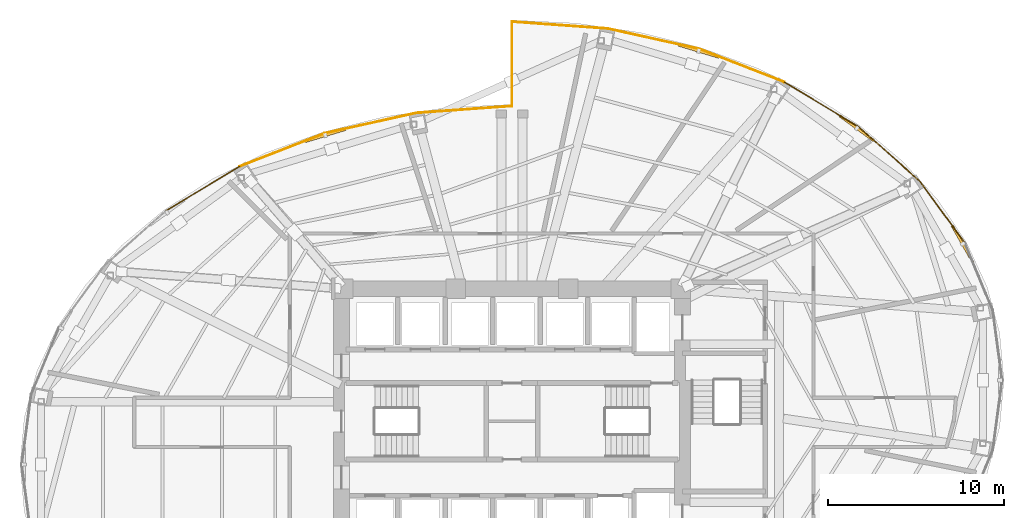
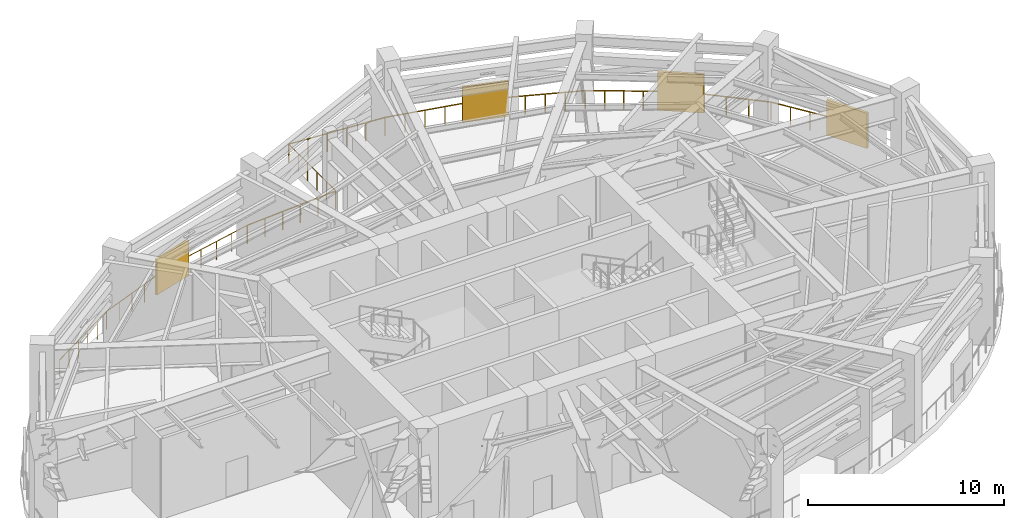
# One storey, part 14 of 14: 11 railings, 4 shading devices.
"""IFC4 building model written with IfcOpenShell, lengths in metres."""

from ifc_helpers import new_model, si_unit, direction, frame, origin, origin_2d, place, context, subcontext, project, spatial, rectangle, circle, extrude, material, type_object, element, save


model = new_model("IFC4")

# Units and contexts
model_context = context("Model", 3, precision=1e-05, world=origin(), true_north=direction((0.0, 1.0)))
body_context = subcontext(model_context, "Body", "Model", "MODEL_VIEW")
ifc_project = project(units=[si_unit("LENGTHUNIT", "METRE"), si_unit("AREAUNIT", "SQUARE_METRE"), si_unit("VOLUMEUNIT", "CUBIC_METRE"), si_unit("PLANEANGLEUNIT", "RADIAN"), si_unit("MASSUNIT", "GRAM", prefix="KILO")], contexts=[model_context])

# Site, building, storey
site_placement = place(None, origin())
site = spatial("IfcSite", under=ifc_project, at=site_placement, CompositionType="ELEMENT")
building_placement = place(site_placement, origin())
building = spatial("IfcBuilding", under=site, at=building_placement, Name="Lazwardi Medical Tower", CompositionType="ELEMENT")
storey_placement = place(building_placement, frame((0.0, 0.0, 76.27197265625)))
storey = spatial("IfcBuildingStorey", under=building, at=storey_placement, Name="L19", CompositionType="ELEMENT", Elevation=76.27197265625)

# Railings
ifc_material_1 = material(Name="Anodised bronze aluminium", Category="aluminium")
railing_type = type_object("IfcRailingType", Name="RLG-BAL-1100", PredefinedType="BALUSTRADE", material=ifc_material_1)
railing_1_placement = place(storey_placement, frame((61.776123046875, 38.206787109375, 0.0)))
element("IfcRailing", 1, at=railing_1_placement, inside=storey, type_object=railing_type, Name="L19 Refuge Band Perimeter Balustrade 11", PredefinedType="BALUSTRADE", context=body_context, shape_type="SweptSolid", body=[
    extrude(circle(Radius=0.02392578125, at=origin_2d()), frame((0.0, 0.0, 1.1259765625), z_axis=(-0.590137081379, 0.807303056591, 0.0), x_axis=(-0.807303056591, -0.590137081379, 0.0)), (0.0, 0.0, 1.0), 4.36865234375),
    extrude(circle(Radius=0.02099609375, at=origin_2d()), origin(), (0.0, 0.0, 1.0), 1.099853515625),
    extrude(circle(Radius=0.02099609375, at=origin_2d()), frame((-0.64453125, 0.8818359375, 0.0)), (0.0, 0.0, 1.0), 1.099853515625),
    extrude(circle(Radius=0.02099609375, at=origin_2d()), frame((-1.2890625, 1.763427734375, 0.0)), (0.0, 0.0, 1.0), 1.099853515625),
    extrude(circle(Radius=0.02099609375, at=origin_2d()), frame((-1.93359375, 2.64501953125, 0.0)), (0.0, 0.0, 1.0), 1.099853515625),
    extrude(circle(Radius=0.02099609375, at=origin_2d()), frame((-2.578125, 3.52685546875, 0.0)), (0.0, 0.0, 1.0), 1.099853515625),
])
railing_2_placement = place(storey_placement, frame((59.197998046875, 41.733642578125, 0.0)))
element("IfcRailing", 2, at=railing_2_placement, inside=storey, type_object=railing_type, Name="L19 Refuge Band Perimeter Balustrade 12", PredefinedType="BALUSTRADE", context=body_context, shape_type="SweptSolid", body=[
    extrude(circle(Radius=0.02392578125, at=origin_2d()), frame((0.0, 0.0, 1.1259765625), z_axis=(-0.74664940554, 0.665217757736, 0.0), x_axis=(-0.665217757736, -0.74664940554, 0.0)), (0.0, 0.0, 1.0), 4.64697265625),
    extrude(circle(Radius=0.02099609375, at=origin_2d()), origin(), (0.0, 0.0, 1.0), 1.099853515625),
    extrude(circle(Radius=0.02099609375, at=origin_2d()), frame((-0.867431640625, 0.77294921875, 0.0)), (0.0, 0.0, 1.0), 1.099853515625),
    extrude(circle(Radius=0.02099609375, at=origin_2d()), frame((-1.73486328125, 1.545654296875, 0.0)), (0.0, 0.0, 1.0), 1.099853515625),
    extrude(circle(Radius=0.02099609375, at=origin_2d()), frame((-2.602294921875, 2.318359375, 0.0)), (0.0, 0.0, 1.0), 1.099853515625),
    extrude(circle(Radius=0.02099609375, at=origin_2d()), frame((-3.4697265625, 3.09130859375, 0.0)), (0.0, 0.0, 1.0), 1.099853515625),
])
railing_3_placement = place(storey_placement, frame((55.728271484375, 44.824951171875, 0.0)))
element("IfcRailing", 3, at=railing_3_placement, inside=storey, type_object=railing_type, Name="L19 Refuge Band Perimeter Balustrade 13", PredefinedType="BALUSTRADE", context=body_context, shape_type="SweptSolid", body=[
    extrude(circle(Radius=0.02392578125, at=origin_2d()), frame((0.0, 0.0, 1.1259765625), z_axis=(-0.857453602365, 0.514561288663, 0.0), x_axis=(-0.514561288663, -0.857453602365, 0.0)), (0.0, 0.0, 1.0), 4.9306640625),
    extrude(circle(Radius=0.02099609375, at=origin_2d()), origin(), (0.0, 0.0, 1.0), 1.099853515625),
    extrude(circle(Radius=0.02099609375, at=origin_2d()), frame((-0.845458984375, 0.50732421875, 0.0)), (0.0, 0.0, 1.0), 1.099853515625),
    extrude(circle(Radius=0.02099609375, at=origin_2d()), frame((-1.691162109375, 1.014892578125, 0.0)), (0.0, 0.0, 1.0), 1.099853515625),
    extrude(circle(Radius=0.02099609375, at=origin_2d()), frame((-2.53662109375, 1.522216796875, 0.0)), (0.0, 0.0, 1.0), 1.099853515625),
    extrude(circle(Radius=0.02099609375, at=origin_2d()), frame((-3.38232421875, 2.02978515625, 0.0)), (0.0, 0.0, 1.0), 1.099853515625),
    extrude(circle(Radius=0.02099609375, at=origin_2d()), frame((-4.227783203125, 2.537109375, 0.0)), (0.0, 0.0, 1.0), 1.099853515625),
])
railing_4_placement = place(storey_placement, frame((51.50048828125, 47.362060546875, 0.0)))
element("IfcRailing", 4, at=railing_4_placement, inside=storey, type_object=railing_type, Name="L19 Refuge Band Perimeter Balustrade 14", PredefinedType="BALUSTRADE", context=body_context, shape_type="SweptSolid", body=[
    extrude(circle(Radius=0.02392578125, at=origin_2d()), frame((0.0, 0.0, 1.1259765625), z_axis=(-0.931402666758, 0.363990483881, 0.0), x_axis=(-0.363990483881, -0.931402666758, 0.0)), (0.0, 0.0, 1.0), 5.1787109375),
    extrude(circle(Radius=0.02099609375, at=origin_2d()), origin(), (0.0, 0.0, 1.0), 1.099853515625),
    extrude(circle(Radius=0.02099609375, at=origin_2d()), frame((-0.964599609375, 0.376953125, 0.0)), (0.0, 0.0, 1.0), 1.099853515625),
    extrude(circle(Radius=0.02099609375, at=origin_2d()), frame((-1.929443359375, 0.75390625, 0.0)), (0.0, 0.0, 1.0), 1.099853515625),
    extrude(circle(Radius=0.02099609375, at=origin_2d()), frame((-2.89404296875, 1.131103515625, 0.0)), (0.0, 0.0, 1.0), 1.099853515625),
    extrude(circle(Radius=0.02099609375, at=origin_2d()), frame((-3.85888671875, 1.508056640625, 0.0)), (0.0, 0.0, 1.0), 1.099853515625),
    extrude(circle(Radius=0.02099609375, at=origin_2d()), frame((-4.823486328125, 1.885009765625, 0.0)), (0.0, 0.0, 1.0), 1.099853515625),
])
railing_5_placement = place(storey_placement, frame((46.677001953125, 49.2470703125, 0.0)))
element("IfcRailing", 5, at=railing_5_placement, inside=storey, type_object=railing_type, Name="L19 Refuge Band Perimeter Balustrade 15", PredefinedType="BALUSTRADE", context=body_context, shape_type="SweptSolid", body=[
    extrude(circle(Radius=0.02392578125, at=origin_2d()), frame((0.0, 0.0, 1.1259765625), z_axis=(-0.976273774801, 0.216539873084, 0.0), x_axis=(-0.216539873084, -0.976273774801, 0.0)), (0.0, 0.0, 1.0), 5.361083984375),
    extrude(circle(Radius=0.02099609375, at=origin_2d()), origin(), (0.0, 0.0, 1.0), 1.099853515625),
    extrude(circle(Radius=0.02099609375, at=origin_2d()), frame((-1.046875, 0.232177734375, 0.0)), (0.0, 0.0, 1.0), 1.099853515625),
    extrude(circle(Radius=0.02099609375, at=origin_2d()), frame((-2.093505859375, 0.46435546875, 0.0)), (0.0, 0.0, 1.0), 1.099853515625),
    extrude(circle(Radius=0.02099609375, at=origin_2d()), frame((-3.140380859375, 0.696533203125, 0.0)), (0.0, 0.0, 1.0), 1.099853515625),
    extrude(circle(Radius=0.02099609375, at=origin_2d()), frame((-4.18701171875, 0.9287109375, 0.0)), (0.0, 0.0, 1.0), 1.099853515625),
    extrude(circle(Radius=0.02099609375, at=origin_2d()), frame((-5.23388671875, 1.160888671875, 0.0)), (0.0, 0.0, 1.0), 1.099853515625),
])
railing_6_placement = place(storey_placement, frame((41.443115234375, 50.407958984375, 0.0)))
element("IfcRailing", 6, at=railing_6_placement, inside=storey, type_object=railing_type, Name="L19 Refuge Band Perimeter Balustrade 16", PredefinedType="BALUSTRADE", context=body_context, shape_type="SweptSolid", body=[
    extrude(circle(Radius=0.02392578125, at=origin_2d()), frame((0.0, 0.0, 1.1259765625), z_axis=(-0.99741559839, 0.071847923347, 0.0), x_axis=(-0.071847923347, -0.99741559839, 0.0)), (0.0, 0.0, 1.0), 5.457275390625),
    extrude(circle(Radius=0.02099609375, at=origin_2d()), origin(), (0.0, 0.0, 1.0), 1.099853515625),
    extrude(circle(Radius=0.02099609375, at=origin_2d()), frame((-1.088623046875, 0.078369140625, 0.0)), (0.0, 0.0, 1.0), 1.099853515625),
    extrude(circle(Radius=0.02099609375, at=origin_2d()), frame((-2.17724609375, 0.15673828125, 0.0)), (0.0, 0.0, 1.0), 1.099853515625),
    extrude(circle(Radius=0.02099609375, at=origin_2d()), frame((-3.265869140625, 0.2353515625, 0.0)), (0.0, 0.0, 1.0), 1.099853515625),
    extrude(circle(Radius=0.02099609375, at=origin_2d()), frame((-4.3544921875, 0.313720703125, 0.0)), (0.0, 0.0, 1.0), 1.099853515625),
    extrude(circle(Radius=0.02099609375, at=origin_2d()), frame((-5.443115234375, 0.39208984375, 0.0)), (0.0, 0.0, 1.0), 1.099853515625),
])
railing_7_placement = place(storey_placement, frame((36.0, 50.800048828125, 0.0)))
element("IfcRailing", 7, at=railing_7_placement, inside=storey, type_object=railing_type, Name="L19 Refuge Band Perimeter Balustrade 17", PredefinedType="BALUSTRADE", context=body_context, shape_type="SweptSolid", body=[
    extrude(circle(Radius=0.02392578125, at=origin_2d()), frame((0.0, 0.0, 1.1259765625), z_axis=(0.0, -1.0, 0.0), x_axis=(1.0, 0.0, 0.0)), (0.0, 0.0, 1.0), 4.800048828125),
    extrude(circle(Radius=0.02099609375, at=origin_2d()), origin(), (0.0, 0.0, 1.0), 1.099853515625),
    extrude(circle(Radius=0.02099609375, at=origin_2d()), frame((0.0, -0.9599609375, 0.0)), (0.0, 0.0, 1.0), 1.099853515625),
    extrude(circle(Radius=0.02099609375, at=origin_2d()), frame((0.0, -1.919921875, 0.0)), (0.0, 0.0, 1.0), 1.099853515625),
    extrude(circle(Radius=0.02099609375, at=origin_2d()), frame((0.0, -2.880126953125, 0.0)), (0.0, 0.0, 1.0), 1.099853515625),
    extrude(circle(Radius=0.02099609375, at=origin_2d()), frame((0.0, -3.840087890625, 0.0)), (0.0, 0.0, 1.0), 1.099853515625),
    extrude(circle(Radius=0.02099609375, at=origin_2d()), frame((0.0, -4.800048828125, 0.0)), (0.0, 0.0, 1.0), 1.099853515625),
])
railing_8_placement = place(storey_placement, frame((36.0, 46.0, 0.0)))
element("IfcRailing", 8, at=railing_8_placement, inside=storey, type_object=railing_type, Name="L19 Refuge Band Perimeter Balustrade 18", PredefinedType="BALUSTRADE", context=body_context, shape_type="SweptSolid", body=[
    extrude(circle(Radius=0.02392578125, at=origin_2d()), frame((0.0, 0.0, 1.1259765625), z_axis=(-0.99741559839, -0.071847923347, 0.0), x_axis=(0.071847923347, -0.99741559839, 0.0)), (0.0, 0.0, 1.0), 5.457275390625),
    extrude(circle(Radius=0.02099609375, at=origin_2d()), origin(), (0.0, 0.0, 1.0), 1.099853515625),
    extrude(circle(Radius=0.02099609375, at=origin_2d()), frame((-1.088623046875, -0.078369140625, 0.0)), (0.0, 0.0, 1.0), 1.099853515625),
    extrude(circle(Radius=0.02099609375, at=origin_2d()), frame((-2.17724609375, -0.15673828125, 0.0)), (0.0, 0.0, 1.0), 1.099853515625),
    extrude(circle(Radius=0.02099609375, at=origin_2d()), frame((-3.265869140625, -0.2353515625, 0.0)), (0.0, 0.0, 1.0), 1.099853515625),
    extrude(circle(Radius=0.02099609375, at=origin_2d()), frame((-4.3544921875, -0.313720703125, 0.0)), (0.0, 0.0, 1.0), 1.099853515625),
    extrude(circle(Radius=0.02099609375, at=origin_2d()), frame((-5.443115234375, -0.39208984375, 0.0)), (0.0, 0.0, 1.0), 1.099853515625),
])
railing_9_placement = place(storey_placement, frame((30.556884765625, 45.60791015625, 0.0)))
element("IfcRailing", 9, at=railing_9_placement, inside=storey, type_object=railing_type, Name="L19 Refuge Band Perimeter Balustrade 19", PredefinedType="BALUSTRADE", context=body_context, shape_type="SweptSolid", body=[
    extrude(circle(Radius=0.02392578125, at=origin_2d()), frame((0.0, 0.0, 1.1259765625), z_axis=(-0.976273774801, -0.216539873084, 0.0), x_axis=(0.216539873084, -0.976273774801, 0.0)), (0.0, 0.0, 1.0), 5.361083984375),
    extrude(circle(Radius=0.02099609375, at=origin_2d()), origin(), (0.0, 0.0, 1.0), 1.099853515625),
    extrude(circle(Radius=0.02099609375, at=origin_2d()), frame((-1.046875, -0.232177734375, 0.0)), (0.0, 0.0, 1.0), 1.099853515625),
    extrude(circle(Radius=0.02099609375, at=origin_2d()), frame((-2.093505859375, -0.46435546875, 0.0)), (0.0, 0.0, 1.0), 1.099853515625),
    extrude(circle(Radius=0.02099609375, at=origin_2d()), frame((-3.140380859375, -0.696533203125, 0.0)), (0.0, 0.0, 1.0), 1.099853515625),
    extrude(circle(Radius=0.02099609375, at=origin_2d()), frame((-4.18701171875, -0.9287109375, 0.0)), (0.0, 0.0, 1.0), 1.099853515625),
    extrude(circle(Radius=0.02099609375, at=origin_2d()), frame((-5.23388671875, -1.160888671875, 0.0)), (0.0, 0.0, 1.0), 1.099853515625),
])
railing_10_placement = place(storey_placement, frame((25.322998046875, 44.447021484375, 0.0)))
element("IfcRailing", 10, at=railing_10_placement, inside=storey, type_object=railing_type, Name="L19 Refuge Band Perimeter Balustrade 20", PredefinedType="BALUSTRADE", context=body_context, shape_type="SweptSolid", body=[
    extrude(circle(Radius=0.02392578125, at=origin_2d()), frame((0.0, 0.0, 1.1259765625), z_axis=(-0.931402666758, -0.363990483881, 0.0), x_axis=(0.363990483881, -0.931402666758, 0.0)), (0.0, 0.0, 1.0), 5.1787109375),
    extrude(circle(Radius=0.02099609375, at=origin_2d()), origin(), (0.0, 0.0, 1.0), 1.099853515625),
    extrude(circle(Radius=0.02099609375, at=origin_2d()), frame((-0.964599609375, -0.376953125, 0.0)), (0.0, 0.0, 1.0), 1.099853515625),
    extrude(circle(Radius=0.02099609375, at=origin_2d()), frame((-1.929443359375, -0.75390625, 0.0)), (0.0, 0.0, 1.0), 1.099853515625),
    extrude(circle(Radius=0.02099609375, at=origin_2d()), frame((-2.89404296875, -1.131103515625, 0.0)), (0.0, 0.0, 1.0), 1.099853515625),
    extrude(circle(Radius=0.02099609375, at=origin_2d()), frame((-3.85888671875, -1.508056640625, 0.0)), (0.0, 0.0, 1.0), 1.099853515625),
    extrude(circle(Radius=0.02099609375, at=origin_2d()), frame((-4.823486328125, -1.885009765625, 0.0)), (0.0, 0.0, 1.0), 1.099853515625),
])
railing_11_placement = place(storey_placement, frame((20.49951171875, 42.56201171875, 0.0)))
element("IfcRailing", 11, at=railing_11_placement, inside=storey, type_object=railing_type, Name="L19 Refuge Band Perimeter Balustrade 21", PredefinedType="BALUSTRADE", context=body_context, shape_type="SweptSolid", body=[
    extrude(circle(Radius=0.02392578125, at=origin_2d()), frame((0.0, 0.0, 1.1259765625), z_axis=(-0.857453602365, -0.514561288663, 0.0), x_axis=(0.514561288663, -0.857453602365, 0.0)), (0.0, 0.0, 1.0), 4.9306640625),
    extrude(circle(Radius=0.02099609375, at=origin_2d()), origin(), (0.0, 0.0, 1.0), 1.099853515625),
    extrude(circle(Radius=0.02099609375, at=origin_2d()), frame((-0.845458984375, -0.50732421875, 0.0)), (0.0, 0.0, 1.0), 1.099853515625),
    extrude(circle(Radius=0.02099609375, at=origin_2d()), frame((-1.691162109375, -1.014892578125, 0.0)), (0.0, 0.0, 1.0), 1.099853515625),
    extrude(circle(Radius=0.02099609375, at=origin_2d()), frame((-2.53662109375, -1.522216796875, 0.0)), (0.0, 0.0, 1.0), 1.099853515625),
    extrude(circle(Radius=0.02099609375, at=origin_2d()), frame((-3.38232421875, -2.02978515625, 0.0)), (0.0, 0.0, 1.0), 1.099853515625),
    extrude(circle(Radius=0.02099609375, at=origin_2d()), frame((-4.227783203125, -2.537109375, 0.0)), (0.0, 0.0, 1.0), 1.099853515625),
])

# Shading devices
ifc_material_2 = material(Name="Anodised bronze aluminium storm louvre", Category="aluminium")
shading_device_type_1 = type_object("IfcShadingDeviceType", Name="SHD-LVR-01", PredefinedType="JALOUSIE", material=ifc_material_2)
for number, where, z_axis, x_axis, name in (
    (12, (61.6416015625, 38.159912109375, 0.0), (0.0, 0.0, 1.0), (-0.493193529244, 0.869919618535, 0.0), "L19 Tropical Storm Louvre 05"),
    (13, (46.62109375, 49.1337890625, 0.0), (0.0, 0.0, 1.0), (-0.957133660406, 0.289646605568, 0.0), "L19 Tropical Storm Louvre 07"),
    (14, (25.37890625, 44.333740234375, 0.0), (0.0, 0.0, 1.0), (-0.957133660406, -0.289646605568, 0.0), "L19 Tropical Storm Louvre 09"),
):
    element("IfcShadingDevice", number, at=place(storey_placement, frame(where, z_axis=z_axis, x_axis=x_axis)), inside=storey, type_object=shading_device_type_1, Name=name, PredefinedType="JALOUSIE", context=body_context, shape_type="SweptSolid", body=[
        extrude(rectangle(XDim=2.39990234375, YDim=0.139892578125, at=origin_2d()), origin(), (0.0, 0.0, 1.0), 2.199951171875),
    ])
ifc_material_3 = material(Name="Perforated bronze girih solar screen", Category="aluminium")
shading_device_type_2 = type_object("IfcShadingDeviceType", Name="SHD-SCR-01", PredefinedType="USERDEFINED", material=ifc_material_3)
shading_device_placement = place(storey_placement, frame((55.625, 44.73828125, 0.0), z_axis=(0.0, 0.0, 1.0), x_axis=(-0.807455843175, 0.589928013678, 0.0)))
element("IfcShadingDevice", 15, at=shading_device_placement, inside=storey, type_object=shading_device_type_2, Name="L19 Bronze Girih Solar Screen 06", ObjectType="SCREEN", PredefinedType="USERDEFINED", context=body_context, shape_type="SweptSolid", body=[
    extrude(rectangle(XDim=2.39990234375, YDim=0.139892578125, at=origin_2d()), origin(), (0.0, 0.0, 1.0), 2.39990234375),
])

save(model, "model.ifc")
